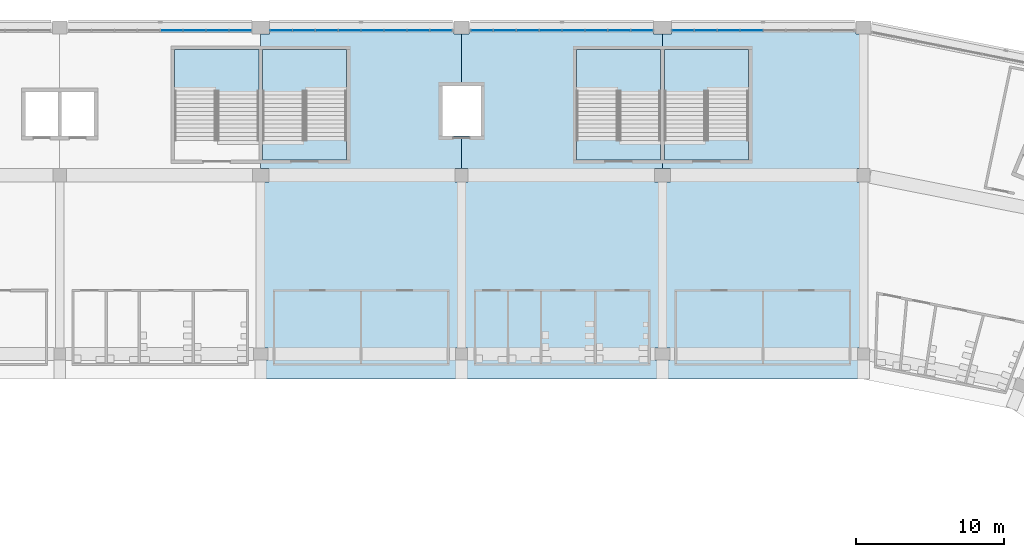
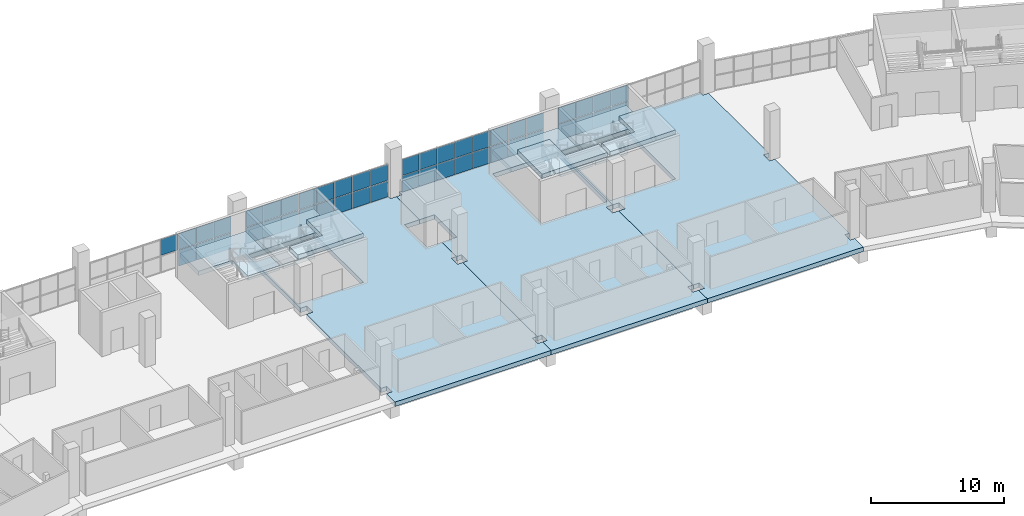
# One storey, part 70 of 199: 47 plates, 10 slabs, 8 elements without a shape of their own.
"""IFC4 building model written with IfcOpenShell, lengths in metres."""

from ifc_helpers import new_model, si_unit, direction, frame, origin, origin_2d, place, context, subcontext, project, spatial, polyline, rectangle, outline, extrude, material, layer, layer_set, type_object, element, aggregate, save


model = new_model("IFC4")

# Units and contexts
model_context = context("Model", 3, precision=1e-05, world=origin(), true_north=direction((0.0, 1.0)))
body_context = subcontext(model_context, "Body", "Model", "MODEL_VIEW")
ifc_project = project(units=[si_unit("LENGTHUNIT", "METRE"), si_unit("AREAUNIT", "SQUARE_METRE"), si_unit("VOLUMEUNIT", "CUBIC_METRE"), si_unit("PLANEANGLEUNIT", "RADIAN"), si_unit("MASSUNIT", "GRAM", prefix="KILO")], contexts=[model_context])

# Site, building, storey
site_placement = place(None, origin())
site = spatial("IfcSite", under=ifc_project, at=site_placement, CompositionType="ELEMENT")
building_placement = place(site_placement, origin())
building = spatial("IfcBuilding", under=site, at=building_placement, Name="Ogive Plaza Stadium", CompositionType="ELEMENT")
storey_placement = place(building_placement, frame((0.0, 0.0, 4.5)))
storey = spatial("IfcBuildingStorey", under=building, at=storey_placement, Name="L01", CompositionType="ELEMENT", Elevation=4.5)

# Curtain wall, plates
ifc_material_1 = material(Name="Bronze-anodised aluminium with laminated glass", Category="aluminium")
curtain_wall_type = type_object("IfcCurtainWallType", Name="Lancet curtain wall", PredefinedType="NOTDEFINED", material=ifc_material_1)
curtain_wall_1_placement = place(storey_placement, origin())
curtain_wall_1 = element("IfcCurtainWall", 1, at=curtain_wall_1_placement, inside=storey, type_object=curtain_wall_type, Name="CURTAIN WALL B33 L01", PredefinedType="NOTDEFINED")
ifc_material_2 = material(Name="Laminated glass", Category="glass")
ifc_layer_1 = layer(ifc_material_2, 0.028076171875)
ifc_layer_set_1 = layer_set([ifc_layer_1], Name="Laminated glass panel 28")
plate_type = type_object("IfcPlateType", Name="Laminated glass panel 28", PredefinedType="CURTAIN_PANEL", material=ifc_layer_set_1)
plate_1_placement = place(storey_placement, frame((-12.824951171875, 102.300048828125, 1.56982421875), z_axis=(0.0, 0.0, 1.0), x_axis=(1.0, 0.0, 0.0)))
plate_1 = element("IfcPlate", 2, at=plate_1_placement, type_object=plate_type, Name="CW-B33-L01 panel 5.2", PredefinedType="CURTAIN_PANEL", context=body_context, shape_type="SweptSolid", body=[
    extrude(rectangle(XDim=1.5, YDim=0.028076171875, at=origin_2d()), origin(), (0.0, 0.0, 1.0), 1.469970703125),
])
plate_2_placement = place(storey_placement, frame((-11.27490234375, 102.300048828125, 0.0498046875), z_axis=(0.0, 0.0, 1.0), x_axis=(1.0, 0.0, 0.0)))
plate_2 = element("IfcPlate", 3, at=plate_2_placement, type_object=plate_type, Name="CW-B33-L01 panel 6.1", PredefinedType="CURTAIN_PANEL", context=body_context, shape_type="SweptSolid", body=[
    extrude(rectangle(XDim=1.5, YDim=0.028076171875, at=origin_2d()), origin(), (0.0, 0.0, 1.0), 1.469970703125),
])
plate_3_placement = place(storey_placement, frame((-11.27490234375, 102.300048828125, 1.56982421875), z_axis=(0.0, 0.0, 1.0), x_axis=(1.0, 0.0, 0.0)))
plate_3 = element("IfcPlate", 4, at=plate_3_placement, type_object=plate_type, Name="CW-B33-L01 panel 6.2", PredefinedType="CURTAIN_PANEL", context=body_context, shape_type="SweptSolid", body=[
    extrude(rectangle(XDim=1.5, YDim=0.028076171875, at=origin_2d()), origin(), (0.0, 0.0, 1.0), 1.469970703125),
])
plate_4_placement = place(storey_placement, frame((-9.72509765625, 102.300048828125, 0.0498046875), z_axis=(0.0, 0.0, 1.0), x_axis=(1.0, 0.0, 0.0)))
plate_4 = element("IfcPlate", 5, at=plate_4_placement, type_object=plate_type, Name="CW-B33-L01 panel 7.1", PredefinedType="CURTAIN_PANEL", context=body_context, shape_type="SweptSolid", body=[
    extrude(rectangle(XDim=1.5, YDim=0.028076171875, at=origin_2d()), origin(), (0.0, 0.0, 1.0), 1.469970703125),
])
plate_5_placement = place(storey_placement, frame((-9.72509765625, 102.300048828125, 1.56982421875), z_axis=(0.0, 0.0, 1.0), x_axis=(1.0, 0.0, 0.0)))
plate_5 = element("IfcPlate", 6, at=plate_5_placement, type_object=plate_type, Name="CW-B33-L01 panel 7.2", PredefinedType="CURTAIN_PANEL", context=body_context, shape_type="SweptSolid", body=[
    extrude(rectangle(XDim=1.5, YDim=0.028076171875, at=origin_2d()), origin(), (0.0, 0.0, 1.0), 1.469970703125),
])
plate_6_placement = place(storey_placement, frame((-8.1875, 102.300048828125, 0.0498046875), z_axis=(0.0, 0.0, 1.0), x_axis=(1.0, 0.0, 0.0)))
plate_6 = element("IfcPlate", 7, at=plate_6_placement, type_object=plate_type, Name="CW-B33-L01 panel 8.1", PredefinedType="CURTAIN_PANEL", context=body_context, shape_type="SweptSolid", body=[
    extrude(rectangle(XDim=1.47509765625, YDim=0.028076171875, at=origin_2d()), origin(), (0.0, 0.0, 1.0), 1.469970703125),
])
plate_7_placement = place(storey_placement, frame((-8.1875, 102.300048828125, 1.56982421875), z_axis=(0.0, 0.0, 1.0), x_axis=(1.0, 0.0, 0.0)))
plate_7 = element("IfcPlate", 8, at=plate_7_placement, type_object=plate_type, Name="CW-B33-L01 panel 8.2", PredefinedType="CURTAIN_PANEL", context=body_context, shape_type="SweptSolid", body=[
    extrude(rectangle(XDim=1.47509765625, YDim=0.028076171875, at=origin_2d()), origin(), (0.0, 0.0, 1.0), 1.469970703125),
])
aggregate(curtain_wall_1, [plate_1, plate_2, plate_3, plate_4, plate_5, plate_6, plate_7])

curtain_wall_2_placement = place(storey_placement, origin())
curtain_wall_2 = element("IfcCurtainWall", 9, at=curtain_wall_2_placement, inside=storey, type_object=curtain_wall_type, Name="CURTAIN WALL B34 L01", PredefinedType="NOTDEFINED")
plate_8_placement = place(storey_placement, frame((-5.41259765625, 102.300048828125, 0.0498046875), z_axis=(0.0, 0.0, 1.0), x_axis=(1.0, 0.0, 0.0)))
plate_8 = element("IfcPlate", 10, at=plate_8_placement, type_object=plate_type, Name="CW-B34-L01 panel 1.1", PredefinedType="CURTAIN_PANEL", context=body_context, shape_type="SweptSolid", body=[
    extrude(rectangle(XDim=1.47509765625, YDim=0.028076171875, at=origin_2d()), origin(), (0.0, 0.0, 1.0), 1.469970703125),
])
plate_9_placement = place(storey_placement, frame((-5.41259765625, 102.300048828125, 1.56982421875), z_axis=(0.0, 0.0, 1.0), x_axis=(1.0, 0.0, 0.0)))
plate_9 = element("IfcPlate", 11, at=plate_9_placement, type_object=plate_type, Name="CW-B34-L01 panel 1.2", PredefinedType="CURTAIN_PANEL", context=body_context, shape_type="SweptSolid", body=[
    extrude(rectangle(XDim=1.47509765625, YDim=0.028076171875, at=origin_2d()), origin(), (0.0, 0.0, 1.0), 1.469970703125),
])
plate_10_placement = place(storey_placement, frame((-3.875, 102.300048828125, 0.0498046875), z_axis=(0.0, 0.0, 1.0), x_axis=(1.0, 0.0, 0.0)))
plate_10 = element("IfcPlate", 12, at=plate_10_placement, type_object=plate_type, Name="CW-B34-L01 panel 2.1", PredefinedType="CURTAIN_PANEL", context=body_context, shape_type="SweptSolid", body=[
    extrude(rectangle(XDim=1.5, YDim=0.028076171875, at=origin_2d()), origin(), (0.0, 0.0, 1.0), 1.469970703125),
])
plate_11_placement = place(storey_placement, frame((-3.875, 102.300048828125, 1.56982421875), z_axis=(0.0, 0.0, 1.0), x_axis=(1.0, 0.0, 0.0)))
plate_11 = element("IfcPlate", 13, at=plate_11_placement, type_object=plate_type, Name="CW-B34-L01 panel 2.2", PredefinedType="CURTAIN_PANEL", context=body_context, shape_type="SweptSolid", body=[
    extrude(rectangle(XDim=1.5, YDim=0.028076171875, at=origin_2d()), origin(), (0.0, 0.0, 1.0), 1.469970703125),
])
plate_12_placement = place(storey_placement, frame((-2.324951171875, 102.300048828125, 0.0498046875), z_axis=(0.0, 0.0, 1.0), x_axis=(1.0, 0.0, 0.0)))
plate_12 = element("IfcPlate", 14, at=plate_12_placement, type_object=plate_type, Name="CW-B34-L01 panel 3.1", PredefinedType="CURTAIN_PANEL", context=body_context, shape_type="SweptSolid", body=[
    extrude(rectangle(XDim=1.5, YDim=0.028076171875, at=origin_2d()), origin(), (0.0, 0.0, 1.0), 1.469970703125),
])
plate_13_placement = place(storey_placement, frame((-2.324951171875, 102.300048828125, 1.56982421875), z_axis=(0.0, 0.0, 1.0), x_axis=(1.0, 0.0, 0.0)))
plate_13 = element("IfcPlate", 15, at=plate_13_placement, type_object=plate_type, Name="CW-B34-L01 panel 3.2", PredefinedType="CURTAIN_PANEL", context=body_context, shape_type="SweptSolid", body=[
    extrude(rectangle(XDim=1.5, YDim=0.028076171875, at=origin_2d()), origin(), (0.0, 0.0, 1.0), 1.469970703125),
])
plate_14_placement = place(storey_placement, frame((-0.77490234375, 102.300048828125, 0.0498046875), z_axis=(0.0, 0.0, 1.0), x_axis=(1.0, 0.0, 0.0)))
plate_14 = element("IfcPlate", 16, at=plate_14_placement, type_object=plate_type, Name="CW-B34-L01 panel 4.1", PredefinedType="CURTAIN_PANEL", context=body_context, shape_type="SweptSolid", body=[
    extrude(rectangle(XDim=1.5, YDim=0.028076171875, at=origin_2d()), origin(), (0.0, 0.0, 1.0), 1.469970703125),
])
plate_15_placement = place(storey_placement, frame((-0.77490234375, 102.300048828125, 1.56982421875), z_axis=(0.0, 0.0, 1.0), x_axis=(1.0, 0.0, 0.0)))
plate_15 = element("IfcPlate", 17, at=plate_15_placement, type_object=plate_type, Name="CW-B34-L01 panel 4.2", PredefinedType="CURTAIN_PANEL", context=body_context, shape_type="SweptSolid", body=[
    extrude(rectangle(XDim=1.5, YDim=0.028076171875, at=origin_2d()), origin(), (0.0, 0.0, 1.0), 1.469970703125),
])
plate_16_placement = place(storey_placement, frame((0.77490234375, 102.300048828125, 0.0498046875), z_axis=(0.0, 0.0, 1.0), x_axis=(1.0, 0.0, 0.0)))
plate_16 = element("IfcPlate", 18, at=plate_16_placement, type_object=plate_type, Name="CW-B34-L01 panel 5.1", PredefinedType="CURTAIN_PANEL", context=body_context, shape_type="SweptSolid", body=[
    extrude(rectangle(XDim=1.5, YDim=0.028076171875, at=origin_2d()), origin(), (0.0, 0.0, 1.0), 1.469970703125),
])
plate_17_placement = place(storey_placement, frame((0.77490234375, 102.300048828125, 1.56982421875), z_axis=(0.0, 0.0, 1.0), x_axis=(1.0, 0.0, 0.0)))
plate_17 = element("IfcPlate", 19, at=plate_17_placement, type_object=plate_type, Name="CW-B34-L01 panel 5.2", PredefinedType="CURTAIN_PANEL", context=body_context, shape_type="SweptSolid", body=[
    extrude(rectangle(XDim=1.5, YDim=0.028076171875, at=origin_2d()), origin(), (0.0, 0.0, 1.0), 1.469970703125),
])
plate_18_placement = place(storey_placement, frame((2.324951171875, 102.300048828125, 0.0498046875), z_axis=(0.0, 0.0, 1.0), x_axis=(1.0, 0.0, 0.0)))
plate_18 = element("IfcPlate", 20, at=plate_18_placement, type_object=plate_type, Name="CW-B34-L01 panel 6.1", PredefinedType="CURTAIN_PANEL", context=body_context, shape_type="SweptSolid", body=[
    extrude(rectangle(XDim=1.5, YDim=0.028076171875, at=origin_2d()), origin(), (0.0, 0.0, 1.0), 1.469970703125),
])
plate_19_placement = place(storey_placement, frame((2.324951171875, 102.300048828125, 1.56982421875), z_axis=(0.0, 0.0, 1.0), x_axis=(1.0, 0.0, 0.0)))
plate_19 = element("IfcPlate", 21, at=plate_19_placement, type_object=plate_type, Name="CW-B34-L01 panel 6.2", PredefinedType="CURTAIN_PANEL", context=body_context, shape_type="SweptSolid", body=[
    extrude(rectangle(XDim=1.5, YDim=0.028076171875, at=origin_2d()), origin(), (0.0, 0.0, 1.0), 1.469970703125),
])
plate_20_placement = place(storey_placement, frame((3.875, 102.300048828125, 0.0498046875), z_axis=(0.0, 0.0, 1.0), x_axis=(1.0, 0.0, 0.0)))
plate_20 = element("IfcPlate", 22, at=plate_20_placement, type_object=plate_type, Name="CW-B34-L01 panel 7.1", PredefinedType="CURTAIN_PANEL", context=body_context, shape_type="SweptSolid", body=[
    extrude(rectangle(XDim=1.5, YDim=0.028076171875, at=origin_2d()), origin(), (0.0, 0.0, 1.0), 1.469970703125),
])
plate_21_placement = place(storey_placement, frame((3.875, 102.300048828125, 1.56982421875), z_axis=(0.0, 0.0, 1.0), x_axis=(1.0, 0.0, 0.0)))
plate_21 = element("IfcPlate", 23, at=plate_21_placement, type_object=plate_type, Name="CW-B34-L01 panel 7.2", PredefinedType="CURTAIN_PANEL", context=body_context, shape_type="SweptSolid", body=[
    extrude(rectangle(XDim=1.5, YDim=0.028076171875, at=origin_2d()), origin(), (0.0, 0.0, 1.0), 1.469970703125),
])
plate_22_placement = place(storey_placement, frame((5.41259765625, 102.300048828125, 0.0498046875), z_axis=(0.0, 0.0, 1.0), x_axis=(1.0, 0.0, 0.0)))
plate_22 = element("IfcPlate", 24, at=plate_22_placement, type_object=plate_type, Name="CW-B34-L01 panel 8.1", PredefinedType="CURTAIN_PANEL", context=body_context, shape_type="SweptSolid", body=[
    extrude(rectangle(XDim=1.47509765625, YDim=0.028076171875, at=origin_2d()), origin(), (0.0, 0.0, 1.0), 1.469970703125),
])
plate_23_placement = place(storey_placement, frame((5.41259765625, 102.300048828125, 1.56982421875), z_axis=(0.0, 0.0, 1.0), x_axis=(1.0, 0.0, 0.0)))
plate_23 = element("IfcPlate", 25, at=plate_23_placement, type_object=plate_type, Name="CW-B34-L01 panel 8.2", PredefinedType="CURTAIN_PANEL", context=body_context, shape_type="SweptSolid", body=[
    extrude(rectangle(XDim=1.47509765625, YDim=0.028076171875, at=origin_2d()), origin(), (0.0, 0.0, 1.0), 1.469970703125),
])
aggregate(curtain_wall_2, [plate_8, plate_9, plate_10, plate_11, plate_12, plate_13, plate_14, plate_15, plate_16, plate_17, plate_18, plate_19, plate_20, plate_21, plate_22, plate_23])

curtain_wall_3_placement = place(storey_placement, origin())
curtain_wall_3 = element("IfcCurtainWall", 26, at=curtain_wall_3_placement, inside=storey, type_object=curtain_wall_type, Name="CURTAIN WALL B35 L01", PredefinedType="NOTDEFINED")
plate_24_placement = place(storey_placement, frame((8.1875, 102.300048828125, 0.0498046875), z_axis=(0.0, 0.0, 1.0), x_axis=(1.0, 0.0, 0.0)))
plate_24 = element("IfcPlate", 27, at=plate_24_placement, type_object=plate_type, Name="CW-B35-L01 panel 1.1", PredefinedType="CURTAIN_PANEL", context=body_context, shape_type="SweptSolid", body=[
    extrude(rectangle(XDim=1.47509765625, YDim=0.028076171875, at=origin_2d()), origin(), (0.0, 0.0, 1.0), 1.469970703125),
])
plate_25_placement = place(storey_placement, frame((8.1875, 102.300048828125, 1.56982421875), z_axis=(0.0, 0.0, 1.0), x_axis=(1.0, 0.0, 0.0)))
plate_25 = element("IfcPlate", 28, at=plate_25_placement, type_object=plate_type, Name="CW-B35-L01 panel 1.2", PredefinedType="CURTAIN_PANEL", context=body_context, shape_type="SweptSolid", body=[
    extrude(rectangle(XDim=1.47509765625, YDim=0.028076171875, at=origin_2d()), origin(), (0.0, 0.0, 1.0), 1.469970703125),
])
plate_26_placement = place(storey_placement, frame((9.72509765625, 102.300048828125, 0.0498046875), z_axis=(0.0, 0.0, 1.0), x_axis=(1.0, 0.0, 0.0)))
plate_26 = element("IfcPlate", 29, at=plate_26_placement, type_object=plate_type, Name="CW-B35-L01 panel 2.1", PredefinedType="CURTAIN_PANEL", context=body_context, shape_type="SweptSolid", body=[
    extrude(rectangle(XDim=1.5, YDim=0.028076171875, at=origin_2d()), origin(), (0.0, 0.0, 1.0), 1.469970703125),
])
plate_27_placement = place(storey_placement, frame((9.72509765625, 102.300048828125, 1.56982421875), z_axis=(0.0, 0.0, 1.0), x_axis=(1.0, 0.0, 0.0)))
plate_27 = element("IfcPlate", 30, at=plate_27_placement, type_object=plate_type, Name="CW-B35-L01 panel 2.2", PredefinedType="CURTAIN_PANEL", context=body_context, shape_type="SweptSolid", body=[
    extrude(rectangle(XDim=1.5, YDim=0.028076171875, at=origin_2d()), origin(), (0.0, 0.0, 1.0), 1.469970703125),
])
plate_28_placement = place(storey_placement, frame((11.27490234375, 102.300048828125, 0.0498046875), z_axis=(0.0, 0.0, 1.0), x_axis=(1.0, 0.0, 0.0)))
plate_28 = element("IfcPlate", 31, at=plate_28_placement, type_object=plate_type, Name="CW-B35-L01 panel 3.1", PredefinedType="CURTAIN_PANEL", context=body_context, shape_type="SweptSolid", body=[
    extrude(rectangle(XDim=1.5, YDim=0.028076171875, at=origin_2d()), origin(), (0.0, 0.0, 1.0), 1.469970703125),
])
plate_29_placement = place(storey_placement, frame((11.27490234375, 102.300048828125, 1.56982421875), z_axis=(0.0, 0.0, 1.0), x_axis=(1.0, 0.0, 0.0)))
plate_29 = element("IfcPlate", 32, at=plate_29_placement, type_object=plate_type, Name="CW-B35-L01 panel 3.2", PredefinedType="CURTAIN_PANEL", context=body_context, shape_type="SweptSolid", body=[
    extrude(rectangle(XDim=1.5, YDim=0.028076171875, at=origin_2d()), origin(), (0.0, 0.0, 1.0), 1.469970703125),
])
plate_30_placement = place(storey_placement, frame((12.824951171875, 102.300048828125, 0.0498046875), z_axis=(0.0, 0.0, 1.0), x_axis=(1.0, 0.0, 0.0)))
plate_30 = element("IfcPlate", 33, at=plate_30_placement, type_object=plate_type, Name="CW-B35-L01 panel 4.1", PredefinedType="CURTAIN_PANEL", context=body_context, shape_type="SweptSolid", body=[
    extrude(rectangle(XDim=1.5, YDim=0.028076171875, at=origin_2d()), origin(), (0.0, 0.0, 1.0), 1.469970703125),
])
plate_31_placement = place(storey_placement, frame((12.824951171875, 102.300048828125, 1.56982421875), z_axis=(0.0, 0.0, 1.0), x_axis=(1.0, 0.0, 0.0)))
plate_31 = element("IfcPlate", 34, at=plate_31_placement, type_object=plate_type, Name="CW-B35-L01 panel 4.2", PredefinedType="CURTAIN_PANEL", context=body_context, shape_type="SweptSolid", body=[
    extrude(rectangle(XDim=1.5, YDim=0.028076171875, at=origin_2d()), origin(), (0.0, 0.0, 1.0), 1.469970703125),
])
plate_32_placement = place(storey_placement, frame((14.375, 102.300048828125, 0.0498046875), z_axis=(0.0, 0.0, 1.0), x_axis=(1.0, 0.0, 0.0)))
plate_32 = element("IfcPlate", 35, at=plate_32_placement, type_object=plate_type, Name="CW-B35-L01 panel 5.1", PredefinedType="CURTAIN_PANEL", context=body_context, shape_type="SweptSolid", body=[
    extrude(rectangle(XDim=1.5, YDim=0.028076171875, at=origin_2d()), origin(), (0.0, 0.0, 1.0), 1.469970703125),
])
plate_33_placement = place(storey_placement, frame((14.375, 102.300048828125, 1.56982421875), z_axis=(0.0, 0.0, 1.0), x_axis=(1.0, 0.0, 0.0)))
plate_33 = element("IfcPlate", 36, at=plate_33_placement, type_object=plate_type, Name="CW-B35-L01 panel 5.2", PredefinedType="CURTAIN_PANEL", context=body_context, shape_type="SweptSolid", body=[
    extrude(rectangle(XDim=1.5, YDim=0.028076171875, at=origin_2d()), origin(), (0.0, 0.0, 1.0), 1.469970703125),
])
plate_34_placement = place(storey_placement, frame((15.925048828125, 102.300048828125, 0.0498046875), z_axis=(0.0, 0.0, 1.0), x_axis=(1.0, 0.0, 0.0)))
plate_34 = element("IfcPlate", 37, at=plate_34_placement, type_object=plate_type, Name="CW-B35-L01 panel 6.1", PredefinedType="CURTAIN_PANEL", context=body_context, shape_type="SweptSolid", body=[
    extrude(rectangle(XDim=1.5, YDim=0.028076171875, at=origin_2d()), origin(), (0.0, 0.0, 1.0), 1.469970703125),
])
plate_35_placement = place(storey_placement, frame((15.925048828125, 102.300048828125, 1.56982421875), z_axis=(0.0, 0.0, 1.0), x_axis=(1.0, 0.0, 0.0)))
plate_35 = element("IfcPlate", 38, at=plate_35_placement, type_object=plate_type, Name="CW-B35-L01 panel 6.2", PredefinedType="CURTAIN_PANEL", context=body_context, shape_type="SweptSolid", body=[
    extrude(rectangle(XDim=1.5, YDim=0.028076171875, at=origin_2d()), origin(), (0.0, 0.0, 1.0), 1.469970703125),
])
plate_36_placement = place(storey_placement, frame((17.47509765625, 102.300048828125, 0.0498046875), z_axis=(0.0, 0.0, 1.0), x_axis=(1.0, 0.0, 0.0)))
plate_36 = element("IfcPlate", 39, at=plate_36_placement, type_object=plate_type, Name="CW-B35-L01 panel 7.1", PredefinedType="CURTAIN_PANEL", context=body_context, shape_type="SweptSolid", body=[
    extrude(rectangle(XDim=1.5, YDim=0.028076171875, at=origin_2d()), origin(), (0.0, 0.0, 1.0), 1.469970703125),
])
plate_37_placement = place(storey_placement, frame((17.47509765625, 102.300048828125, 1.56982421875), z_axis=(0.0, 0.0, 1.0), x_axis=(1.0, 0.0, 0.0)))
plate_37 = element("IfcPlate", 40, at=plate_37_placement, type_object=plate_type, Name="CW-B35-L01 panel 7.2", PredefinedType="CURTAIN_PANEL", context=body_context, shape_type="SweptSolid", body=[
    extrude(rectangle(XDim=1.5, YDim=0.028076171875, at=origin_2d()), origin(), (0.0, 0.0, 1.0), 1.469970703125),
])
plate_38_placement = place(storey_placement, frame((19.012451171875, 102.300048828125, 0.0498046875), z_axis=(0.0, 0.0, 1.0), x_axis=(1.0, 0.0, 0.0)))
plate_38 = element("IfcPlate", 41, at=plate_38_placement, type_object=plate_type, Name="CW-B35-L01 panel 8.1", PredefinedType="CURTAIN_PANEL", context=body_context, shape_type="SweptSolid", body=[
    extrude(rectangle(XDim=1.47509765625, YDim=0.028076171875, at=origin_2d()), origin(), (0.0, 0.0, 1.0), 1.469970703125),
])
plate_39_placement = place(storey_placement, frame((19.012451171875, 102.300048828125, 1.56982421875), z_axis=(0.0, 0.0, 1.0), x_axis=(1.0, 0.0, 0.0)))
plate_39 = element("IfcPlate", 42, at=plate_39_placement, type_object=plate_type, Name="CW-B35-L01 panel 8.2", PredefinedType="CURTAIN_PANEL", context=body_context, shape_type="SweptSolid", body=[
    extrude(rectangle(XDim=1.47509765625, YDim=0.028076171875, at=origin_2d()), origin(), (0.0, 0.0, 1.0), 1.469970703125),
])
aggregate(curtain_wall_3, [plate_24, plate_25, plate_26, plate_27, plate_28, plate_29, plate_30, plate_31, plate_32, plate_33, plate_34, plate_35, plate_36, plate_37, plate_38, plate_39])

curtain_wall_4_placement = place(storey_placement, origin())
curtain_wall_4 = element("IfcCurtainWall", 43, at=curtain_wall_4_placement, inside=storey, type_object=curtain_wall_type, Name="CURTAIN WALL B36 L01", PredefinedType="NOTDEFINED")
plate_40_placement = place(storey_placement, frame((21.78759765625, 102.300048828125, 0.0498046875), z_axis=(0.0, 0.0, 1.0), x_axis=(1.0, 0.0, 0.0)))
plate_40 = element("IfcPlate", 44, at=plate_40_placement, type_object=plate_type, Name="CW-B36-L01 panel 1.1", PredefinedType="CURTAIN_PANEL", context=body_context, shape_type="SweptSolid", body=[
    extrude(rectangle(XDim=1.47509765625, YDim=0.028076171875, at=origin_2d()), origin(), (0.0, 0.0, 1.0), 1.469970703125),
])
plate_41_placement = place(storey_placement, frame((21.78759765625, 102.300048828125, 1.56982421875), z_axis=(0.0, 0.0, 1.0), x_axis=(1.0, 0.0, 0.0)))
plate_41 = element("IfcPlate", 45, at=plate_41_placement, type_object=plate_type, Name="CW-B36-L01 panel 1.2", PredefinedType="CURTAIN_PANEL", context=body_context, shape_type="SweptSolid", body=[
    extrude(rectangle(XDim=1.47509765625, YDim=0.028076171875, at=origin_2d()), origin(), (0.0, 0.0, 1.0), 1.469970703125),
])
plate_42_placement = place(storey_placement, frame((23.324951171875, 102.300048828125, 0.0498046875), z_axis=(0.0, 0.0, 1.0), x_axis=(1.0, 0.0, 0.0)))
plate_42 = element("IfcPlate", 46, at=plate_42_placement, type_object=plate_type, Name="CW-B36-L01 panel 2.1", PredefinedType="CURTAIN_PANEL", context=body_context, shape_type="SweptSolid", body=[
    extrude(rectangle(XDim=1.5, YDim=0.028076171875, at=origin_2d()), origin(), (0.0, 0.0, 1.0), 1.469970703125),
])
plate_43_placement = place(storey_placement, frame((23.324951171875, 102.300048828125, 1.56982421875), z_axis=(0.0, 0.0, 1.0), x_axis=(1.0, 0.0, 0.0)))
plate_43 = element("IfcPlate", 47, at=plate_43_placement, type_object=plate_type, Name="CW-B36-L01 panel 2.2", PredefinedType="CURTAIN_PANEL", context=body_context, shape_type="SweptSolid", body=[
    extrude(rectangle(XDim=1.5, YDim=0.028076171875, at=origin_2d()), origin(), (0.0, 0.0, 1.0), 1.469970703125),
])
plate_44_placement = place(storey_placement, frame((24.875, 102.300048828125, 0.0498046875), z_axis=(0.0, 0.0, 1.0), x_axis=(1.0, 0.0, 0.0)))
plate_44 = element("IfcPlate", 48, at=plate_44_placement, type_object=plate_type, Name="CW-B36-L01 panel 3.1", PredefinedType="CURTAIN_PANEL", context=body_context, shape_type="SweptSolid", body=[
    extrude(rectangle(XDim=1.5, YDim=0.028076171875, at=origin_2d()), origin(), (0.0, 0.0, 1.0), 1.469970703125),
])
plate_45_placement = place(storey_placement, frame((24.875, 102.300048828125, 1.56982421875), z_axis=(0.0, 0.0, 1.0), x_axis=(1.0, 0.0, 0.0)))
plate_45 = element("IfcPlate", 49, at=plate_45_placement, type_object=plate_type, Name="CW-B36-L01 panel 3.2", PredefinedType="CURTAIN_PANEL", context=body_context, shape_type="SweptSolid", body=[
    extrude(rectangle(XDim=1.5, YDim=0.028076171875, at=origin_2d()), origin(), (0.0, 0.0, 1.0), 1.469970703125),
])
plate_46_placement = place(storey_placement, frame((26.425048828125, 102.300048828125, 0.0498046875), z_axis=(0.0, 0.0, 1.0), x_axis=(1.0, 0.0, 0.0)))
plate_46 = element("IfcPlate", 50, at=plate_46_placement, type_object=plate_type, Name="CW-B36-L01 panel 4.1", PredefinedType="CURTAIN_PANEL", context=body_context, shape_type="SweptSolid", body=[
    extrude(rectangle(XDim=1.5, YDim=0.028076171875, at=origin_2d()), origin(), (0.0, 0.0, 1.0), 1.469970703125),
])
plate_47_placement = place(storey_placement, frame((26.425048828125, 102.300048828125, 1.56982421875), z_axis=(0.0, 0.0, 1.0), x_axis=(1.0, 0.0, 0.0)))
plate_47 = element("IfcPlate", 51, at=plate_47_placement, type_object=plate_type, Name="CW-B36-L01 panel 4.2", PredefinedType="CURTAIN_PANEL", context=body_context, shape_type="SweptSolid", body=[
    extrude(rectangle(XDim=1.5, YDim=0.028076171875, at=origin_2d()), origin(), (0.0, 0.0, 1.0), 1.469970703125),
])
aggregate(curtain_wall_4, [plate_40, plate_41, plate_42, plate_43, plate_44, plate_45, plate_46, plate_47])

# Slabs
ifc_material_3 = material(Name="Concrete C40/50", Category="concrete")
ifc_layer_2 = layer(ifc_material_3, 0.409912109375)
ifc_layer_set_2 = layer_set([ifc_layer_2], Name="Concrete C40/50")
slab_type_1 = type_object("IfcSlabType", Name="RC floor slab 410", PredefinedType="FLOOR", material=ifc_layer_set_2)
slab_1_placement = place(storey_placement, frame((0.0, 0.0, -0.409912109375)))
element("IfcSlab", 52, at=slab_1_placement, inside=storey, type_object=slab_type_1, Name="Floor slab L01 B34", PredefinedType="FLOOR", context=body_context, shape_type="SweptSolid", body=[
    extrude(outline(polyline([(6.800048828125, 80.0), (6.39990234375, 80.0), (6.39990234375, 80.800048828125), (6.800048828125, 80.800048828125), (6.800048828125, 92.050048828125), (6.35009765625, 92.050048828125), (6.35009765625, 92.949951171875), (6.800048828125, 92.949951171875), (6.800048828125, 95.14990234375), (5.5, 95.14990234375), (5.5, 98.550048828125), (6.800048828125, 98.550048828125), (6.800048828125, 102.050048828125), (6.300048828125, 102.050048828125), (6.300048828125, 102.5), (-6.199951171875, 102.5), (-6.199951171875, 102.050048828125), (-6.800048828125, 102.050048828125), (-6.800048828125, 92.949951171875), (-6.25, 92.949951171875), (-6.25, 92.050048828125), (-6.800048828125, 92.050048828125), (-6.800048828125, 80.800048828125), (-6.300048828125, 80.800048828125), (-6.300048828125, 80.0), (-6.800048828125, 80.0), (-6.800048828125, 78.699951171875), (6.800048828125, 78.699951171875), (6.800048828125, 80.0)]), holes=[polyline([(-6.675048828125, 93.550048828125), (-0.97509765625, 93.550048828125), (-0.97509765625, 101.010009765625), (-6.675048828125, 101.010009765625), (-6.675048828125, 93.550048828125)])]), origin(), (0.0, 0.0, 1.0), 0.409912109375),
])
slab_2_placement = place(storey_placement, frame((0.0, 0.0, -0.409912109375)))
element("IfcSlab", 53, at=slab_2_placement, inside=storey, type_object=slab_type_1, Name="Floor slab L01 B35", PredefinedType="FLOOR", context=body_context, shape_type="SweptSolid", body=[
    extrude(outline(polyline([(20.39990234375, 80.0), (19.89990234375, 80.0), (19.89990234375, 80.800048828125), (20.39990234375, 80.800048828125), (20.39990234375, 92.050048828125), (19.85009765625, 92.050048828125), (19.85009765625, 92.949951171875), (20.39990234375, 92.949951171875), (20.39990234375, 102.050048828125), (19.800048828125, 102.050048828125), (19.800048828125, 102.5), (7.300048828125, 102.5), (7.300048828125, 102.050048828125), (6.800048828125, 102.050048828125), (6.800048828125, 98.550048828125), (8.10009765625, 98.550048828125), (8.10009765625, 95.14990234375), (6.800048828125, 95.14990234375), (6.800048828125, 92.949951171875), (7.25, 92.949951171875), (7.25, 92.050048828125), (6.800048828125, 92.050048828125), (6.800048828125, 80.800048828125), (7.199951171875, 80.800048828125), (7.199951171875, 80.0), (6.800048828125, 80.0), (6.800048828125, 78.699951171875), (20.39990234375, 78.699951171875), (20.39990234375, 80.0)]), holes=[polyline([(14.574951171875, 93.550048828125), (20.27490234375, 93.550048828125), (20.27490234375, 101.010009765625), (14.574951171875, 101.010009765625), (14.574951171875, 93.550048828125)])]), origin(), (0.0, 0.0, 1.0), 0.409912109375),
])
slab_3_placement = place(storey_placement, frame((0.0, 0.0, -0.409912109375)))
element("IfcSlab", 54, at=slab_3_placement, inside=storey, type_object=slab_type_1, Name="Floor slab L01 B36", PredefinedType="FLOOR", context=body_context, shape_type="SweptSolid", body=[
    extrude(outline(polyline([(34.0, 80.0), (33.60009765625, 80.0), (33.60009765625, 80.800048828125), (34.0, 80.800048828125), (34.0, 92.050048828125), (33.550048828125, 92.050048828125), (33.550048828125, 92.949951171875), (34.0, 92.949951171875), (34.0, 102.050048828125), (33.5, 102.050048828125), (33.5, 102.5), (21.0, 102.5), (21.0, 102.050048828125), (20.39990234375, 102.050048828125), (20.39990234375, 92.949951171875), (20.949951171875, 92.949951171875), (20.949951171875, 92.050048828125), (20.39990234375, 92.050048828125), (20.39990234375, 80.800048828125), (20.89990234375, 80.800048828125), (20.89990234375, 80.0), (20.39990234375, 80.0), (20.39990234375, 78.699951171875), (34.0, 78.699951171875), (34.0, 80.0)]), holes=[polyline([(20.52490234375, 93.550048828125), (26.22509765625, 93.550048828125), (26.22509765625, 101.010009765625), (20.52490234375, 101.010009765625), (20.52490234375, 93.550048828125)])]), origin(), (0.0, 0.0, 1.0), 0.409912109375),
])

# Stair, slabs
ifc_material_4 = material(Name="Concrete C40/50", Category="concrete")
stair_type = type_object("IfcStairType", Name="Exit stair", PredefinedType="STRAIGHT_RUN_STAIR", material=ifc_material_4)
stair_1_placement = place(storey_placement, origin())
stair_1 = element("IfcStair", 55, at=stair_1_placement, inside=storey, type_object=stair_type, Name="Exit stair ST34A L01 to L02", PredefinedType="STRAIGHT_RUN_STAIR")
ifc_material_5 = material(Name="Concrete C40/50", Category="concrete")
ifc_layer_3 = layer(ifc_material_5, 0.39990234375)
ifc_layer_set_3 = layer_set([ifc_layer_3], Name="Concrete C40/50")
slab_type_2 = type_object("IfcSlabType", Name="Stair landing", PredefinedType="LANDING", material=ifc_layer_set_3)
slab_4_placement = place(storey_placement, frame((0.0, 0.0, 1.85009765625)))
slab_4 = element("IfcSlab", 56, at=slab_4_placement, type_object=slab_type_2, Name="ST34A landing 1", PredefinedType="LANDING", context=body_context, shape_type="SweptSolid", body=[
    extrude(outline(polyline([(-6.675048828125, 101.010009765625), (-0.97509765625, 101.010009765625), (-0.97509765625, 98.2099609375), (-3.875, 98.2099609375), (-3.875, 95.81005859375), (-6.675048828125, 95.81005859375), (-6.675048828125, 98.2099609375), (-6.675048828125, 101.010009765625)])), origin(), (0.0, 0.0, 1.0), 0.39990234375),
])
slab_5_placement = place(storey_placement, frame((0.0, 0.0, 4.10009765625)))
slab_5 = element("IfcSlab", 57, at=slab_5_placement, type_object=slab_type_2, Name="ST34A landing 2", PredefinedType="LANDING", context=body_context, shape_type="SweptSolid", body=[
    extrude(outline(polyline([(-3.77490234375, 97.25), (-0.97509765625, 97.25), (-0.97509765625, 94.85009765625), (-0.97509765625, 93.550048828125), (-6.675048828125, 93.550048828125), (-6.675048828125, 94.85009765625), (-3.77490234375, 94.85009765625), (-3.77490234375, 97.25)])), origin(), (0.0, 0.0, 1.0), 0.39990234375),
])
aggregate(stair_1, [slab_4, slab_5])

# Stair, slab
stair_2_placement = place(storey_placement, origin())
stair_2 = element("IfcStair", 58, at=stair_2_placement, inside=storey, type_object=stair_type, Name="Exit stair ST34B L01 to L02", PredefinedType="STRAIGHT_RUN_STAIR")
slab_6_placement = place(storey_placement, frame((0.0, 0.0, 1.85009765625)))
slab_6 = element("IfcSlab", 59, at=slab_6_placement, type_object=slab_type_2, Name="ST34B landing 1", PredefinedType="LANDING", context=body_context, shape_type="SweptSolid", body=[
    extrude(outline(polyline([(-6.925048828125, 95.81005859375), (-9.72509765625, 95.81005859375), (-9.72509765625, 98.2099609375), (-12.625, 98.2099609375), (-12.625, 101.010009765625), (-6.925048828125, 101.010009765625), (-6.925048828125, 98.2099609375), (-6.925048828125, 95.81005859375)])), origin(), (0.0, 0.0, 1.0), 0.39990234375),
])
aggregate(stair_2, [slab_6])

# Stair, slabs
stair_3_placement = place(storey_placement, origin())
stair_3 = element("IfcStair", 60, at=stair_3_placement, inside=storey, type_object=stair_type, Name="Exit stair ST36A L01 to L02", PredefinedType="STRAIGHT_RUN_STAIR")
slab_7_placement = place(storey_placement, frame((0.0, 0.0, 1.85009765625)))
slab_7 = element("IfcSlab", 61, at=slab_7_placement, type_object=slab_type_2, Name="ST36A landing 1", PredefinedType="LANDING", context=body_context, shape_type="SweptSolid", body=[
    extrude(outline(polyline([(20.52490234375, 101.010009765625), (26.22509765625, 101.010009765625), (26.22509765625, 98.2099609375), (23.324951171875, 98.2099609375), (23.324951171875, 95.81005859375), (20.52490234375, 95.81005859375), (20.52490234375, 98.2099609375), (20.52490234375, 101.010009765625)])), origin(), (0.0, 0.0, 1.0), 0.39990234375),
])
slab_8_placement = place(storey_placement, frame((0.0, 0.0, 4.10009765625)))
slab_8 = element("IfcSlab", 62, at=slab_8_placement, type_object=slab_type_2, Name="ST36A landing 2", PredefinedType="LANDING", context=body_context, shape_type="SweptSolid", body=[
    extrude(outline(polyline([(23.425048828125, 97.25), (26.22509765625, 97.25), (26.22509765625, 94.85009765625), (26.22509765625, 93.550048828125), (20.52490234375, 93.550048828125), (20.52490234375, 94.85009765625), (23.425048828125, 94.85009765625), (23.425048828125, 97.25)])), origin(), (0.0, 0.0, 1.0), 0.39990234375),
])
aggregate(stair_3, [slab_7, slab_8])

stair_4_placement = place(storey_placement, origin())
stair_4 = element("IfcStair", 63, at=stair_4_placement, inside=storey, type_object=stair_type, Name="Exit stair ST36B L01 to L02", PredefinedType="STRAIGHT_RUN_STAIR")
slab_9_placement = place(storey_placement, frame((0.0, 0.0, 1.85009765625)))
slab_9 = element("IfcSlab", 64, at=slab_9_placement, type_object=slab_type_2, Name="ST36B landing 1", PredefinedType="LANDING", context=body_context, shape_type="SweptSolid", body=[
    extrude(outline(polyline([(20.27490234375, 95.81005859375), (17.47509765625, 95.81005859375), (17.47509765625, 98.2099609375), (14.574951171875, 98.2099609375), (14.574951171875, 101.010009765625), (20.27490234375, 101.010009765625), (20.27490234375, 98.2099609375), (20.27490234375, 95.81005859375)])), origin(), (0.0, 0.0, 1.0), 0.39990234375),
])
slab_10_placement = place(storey_placement, frame((0.0, 0.0, 4.10009765625)))
slab_10 = element("IfcSlab", 65, at=slab_10_placement, type_object=slab_type_2, Name="ST36B landing 2", PredefinedType="LANDING", context=body_context, shape_type="SweptSolid", body=[
    extrude(outline(polyline([(20.27490234375, 94.85009765625), (20.27490234375, 93.550048828125), (14.574951171875, 93.550048828125), (14.574951171875, 94.85009765625), (14.574951171875, 97.25), (17.375, 97.25), (17.375, 94.85009765625), (20.27490234375, 94.85009765625)])), origin(), (0.0, 0.0, 1.0), 0.39990234375),
])
aggregate(stair_4, [slab_9, slab_10])

save(model, "model.ifc")
